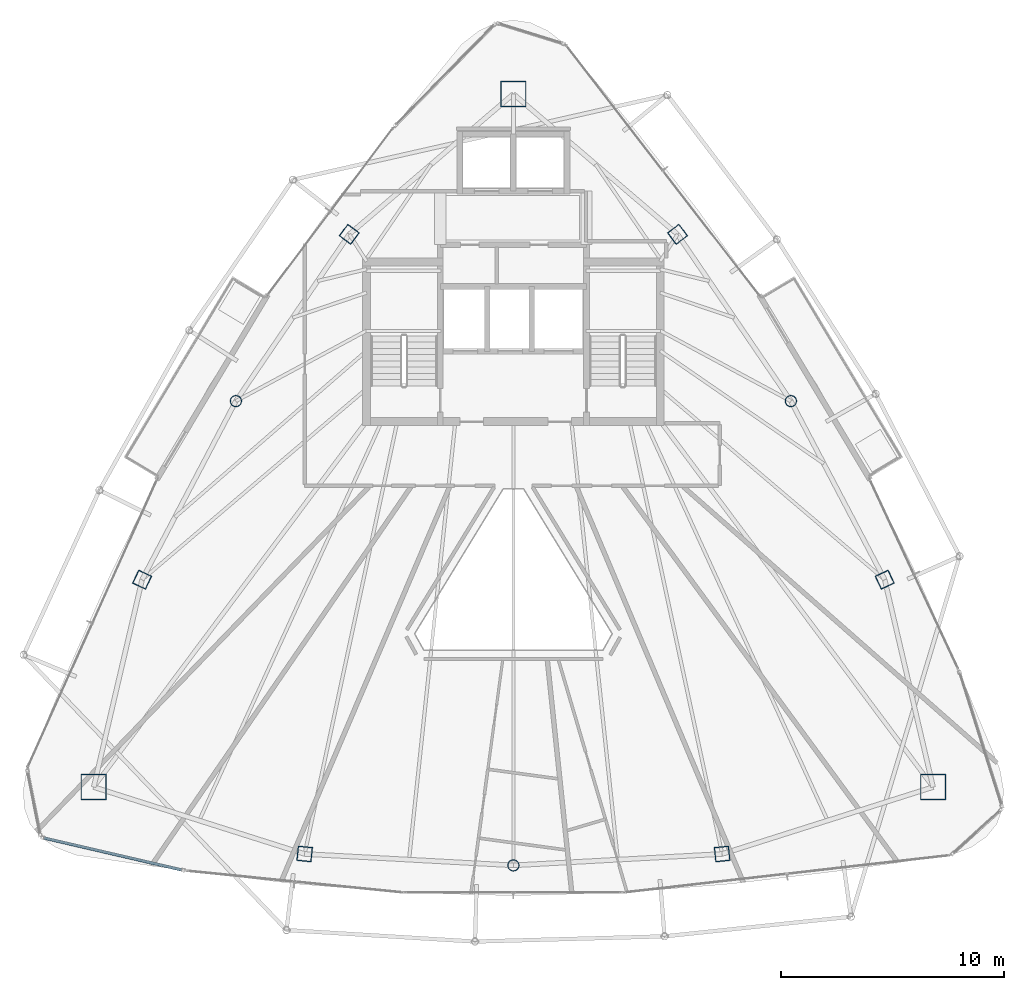
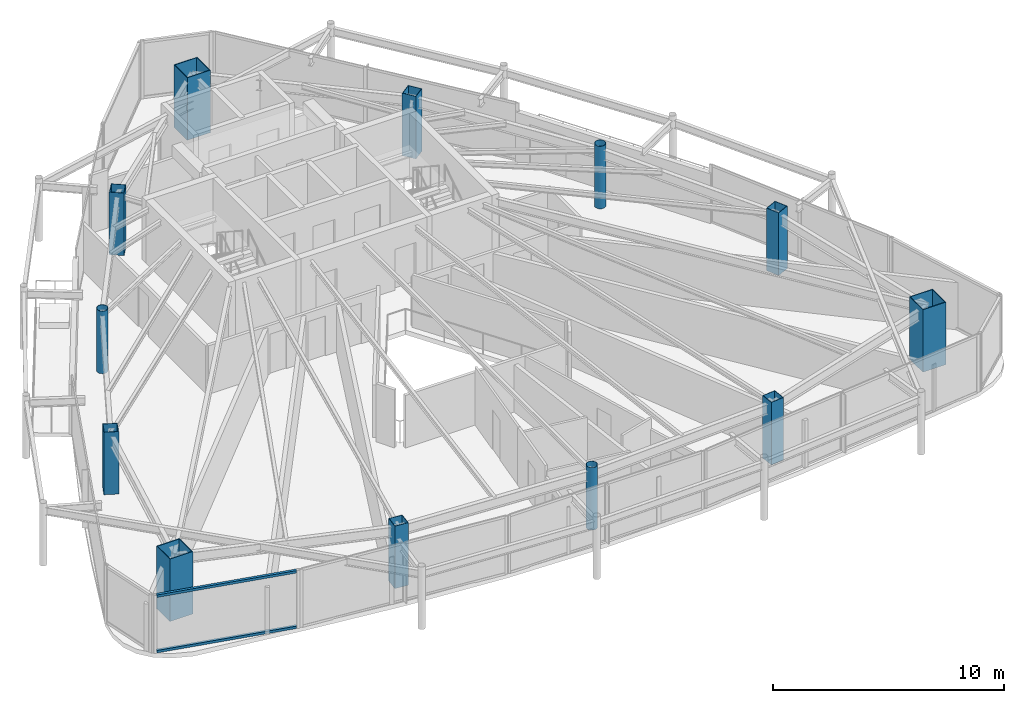
# One storey, part 1 of 28: 12 columns, 2 members, 1 element without a shape of its own.
"""IFC4 building model written with IfcOpenShell, lengths in metres."""

from ifc_helpers import new_model, si_unit, direction, frame, origin, origin_2d, place, context, subcontext, project, spatial, hollow_rectangle, hollow_circle, extrude, material, layer, layer_set, material_profile, profile_set, type_object, element, aggregate, save


model = new_model("IFC4")

# Units and contexts
model_context = context("Model", 3, precision=1e-05, world=origin(), true_north=direction((0.0, 1.0)))
body_context = subcontext(model_context, "Body", "Model", "MODEL_VIEW")
ifc_project = project(units=[si_unit("LENGTHUNIT", "METRE"), si_unit("AREAUNIT", "SQUARE_METRE"), si_unit("VOLUMEUNIT", "CUBIC_METRE"), si_unit("PLANEANGLEUNIT", "RADIAN"), si_unit("MASSUNIT", "GRAM", prefix="KILO")], contexts=[model_context])

# Site, building, storey
site_placement = place(None, origin())
site = spatial("IfcSite", under=ifc_project, at=site_placement, CompositionType="ELEMENT")
building_placement = place(site_placement, origin())
building = spatial("IfcBuilding", under=site, at=building_placement, Name="Orvanel Arch Residences", CompositionType="ELEMENT")
storey_placement = place(building_placement, frame((0.0, 0.0, 260.14990234375)))
storey = spatial("IfcBuildingStorey", under=building, at=storey_placement, Name="L74", CompositionType="ELEMENT", Elevation=260.14990234375)

# Columns
ifc_material_1 = material(Name="Structural steel AS/NZS 1163 C350L0 (Grade 350)", Category="steel")
ifc_material_profile_1 = material_profile(ifc_material_1, hollow_circle(Radius=0.25390625, WallThickness=0.01611328125, at=origin_2d()), Name="CHS508x16")
ifc_profile_set_1 = profile_set([ifc_material_profile_1], Name="Structural steel AS/NZS 1163 C350L0 (Grade 350)")
column_type_1 = type_object("IfcColumnType", Name="CC-508", PredefinedType="COLUMN", material=ifc_profile_set_1)
for number, where, z_axis, x_axis, name in (
    (1, (20.569091796875, 27.64111328125, 0.0), (0.0, 0.0, 1.0), (1.0, 0.0, 0.0), "L74 High-Rise Tube Column 02"),
    (2, (33.0, 6.843994140625, 0.0), (0.0, 0.0, 1.0), (1.0, 0.0, 0.0), "L74 High-Rise Tube Column 05"),
    (3, (45.430908203125, 27.64111328125, 0.0), (0.0, 0.0, 1.0), (1.0, 0.0, 0.0), "L74 High-Rise Tube Column 08"),
):
    element("IfcColumn", number, at=place(storey_placement, frame(where, z_axis=z_axis, x_axis=x_axis)), inside=storey, type_object=column_type_1, Name=name, PredefinedType="COLUMN", context=body_context, shape_type="SweptSolid", body=[
        extrude(hollow_circle(Radius=0.25390625, WallThickness=0.01611328125, at=origin_2d()), origin(), (0.0, 0.0, 1.0), 3.300048828125),
    ])
ifc_material_2 = material(Name="Structural steel AS/NZS 3678 Grade 450", Category="steel")
ifc_material_profile_2 = material_profile(ifc_material_2, hollow_rectangle(XDim=1.14990234375, YDim=1.14990234375, WallThickness=0.035888671875, at=origin_2d()), Name="BOX1150x1150x36")
ifc_profile_set_2 = profile_set([ifc_material_profile_2], Name="Structural steel AS/NZS 3678 Grade 450")
column_type_2 = type_object("IfcColumnType", Name="MC-1150", PredefinedType="COLUMN", material=ifc_profile_set_2)
for number, where, z_axis, x_axis, name in (
    (4, (33.0, 41.39794921875, 0.0), (0.0, 0.0, 1.0), (1.0, 0.0, 0.0), "L74 Corner Mega-Column 1"),
    (5, (14.198974609375, 10.35107421875, 0.0), (0.0, 0.0, 1.0), (1.0, 0.0, 0.0), "L74 Corner Mega-Column 2"),
    (6, (51.801025390625, 10.35107421875, 0.0), (0.0, 0.0, 1.0), (1.0, 0.0, 0.0), "L74 Corner Mega-Column 3"),
):
    element("IfcColumn", number, at=place(storey_placement, frame(where, z_axis=z_axis, x_axis=x_axis)), inside=storey, type_object=column_type_2, Name=name, PredefinedType="COLUMN", context=body_context, shape_type="SweptSolid", body=[
        extrude(hollow_rectangle(XDim=1.14990234375, YDim=1.14990234375, WallThickness=0.035888671875, at=origin_2d()), origin(), (0.0, 0.0, 1.0), 3.300048828125),
    ])
ifc_material_3 = material(Name="Structural steel AS/NZS 3678 Grade 350", Category="steel")
ifc_material_profile_3 = material_profile(ifc_material_3, hollow_rectangle(XDim=0.64990234375, YDim=0.64990234375, WallThickness=0.02197265625, at=origin_2d()), Name="BOX650x650x22")
ifc_profile_set_3 = profile_set([ifc_material_profile_3], Name="Structural steel AS/NZS 3678 Grade 350")
column_type_3 = type_object("IfcColumnType", Name="TC-650", PredefinedType="COLUMN", material=ifc_profile_set_3)
for number, where, z_axis, x_axis, name in (
    (7, (25.64794921875, 35.113037109375, 0.0), (0.0, 0.0, 1.0), (0.600420225326, 0.799684658487, 0.0), "L74 High-Rise Tube Column 01"),
    (8, (16.366943359375, 19.64208984375, 0.0), (0.0, 0.0, 1.0), (0.422618261741, 0.906307787037, 0.0), "L74 High-Rise Tube Column 03"),
    (9, (23.64892578125, 7.35498046875, 0.0), (0.0, 0.0, 1.0), (-0.994880708829, 0.101056297183, 0.0), "L74 High-Rise Tube Column 04"),
    (10, (42.35107421875, 7.35498046875, 0.0), (0.0, 0.0, 1.0), (0.994880708829, 0.101056297183, 0.0), "L74 High-Rise Tube Column 06"),
    (11, (49.633056640625, 19.64208984375, 0.0), (0.0, 0.0, 1.0), (-0.422618261741, 0.906307787037, 0.0), "L74 High-Rise Tube Column 07"),
    (12, (40.35205078125, 35.113037109375, 0.0), (0.0, 0.0, 1.0), (-0.600420225326, 0.799684658487, 0.0), "L74 High-Rise Tube Column 09"),
):
    element("IfcColumn", number, at=place(storey_placement, frame(where, z_axis=z_axis, x_axis=x_axis)), inside=storey, type_object=column_type_3, Name=name, PredefinedType="COLUMN", context=body_context, shape_type="SweptSolid", body=[
        extrude(hollow_rectangle(XDim=0.64990234375, YDim=0.64990234375, WallThickness=0.02197265625, at=origin_2d()), origin(), (0.0, 0.0, 1.0), 3.300048828125),
    ])

# Curtain wall, members
ifc_material_4 = material(Name="Bronze-anodised aluminium AA6063-T6", Category="aluminium")
ifc_layer = layer(ifc_material_4, 0.18994140625)
ifc_layer_set = layer_set([ifc_layer], Name="Bronze-anodised aluminium AA6063-T6")
curtain_wall_type = type_object("IfcCurtainWallType", Name="CW5-CRN-SYS", PredefinedType="NOTDEFINED", material=ifc_layer_set)
curtain_wall_placement = place(storey_placement, origin())
curtain_wall = element("IfcCurtainWall", 13, at=curtain_wall_placement, inside=storey, type_object=curtain_wall_type, Name="L74 CW5-CRN-SYS Unitised Curtain Wall", PredefinedType="NOTDEFINED")
ifc_material_profile_4 = material_profile(ifc_material_4, hollow_rectangle(XDim=0.1298828125, YDim=0.1298828125, WallThickness=0.00439453125, at=origin_2d()), Name="ALU130x130x4.5")
ifc_profile_set_4 = profile_set([ifc_material_profile_4], Name="Bronze-anodised aluminium AA6063-T6")
member_type = type_object("IfcMemberType", Name="TRN-130x130", PredefinedType="USERDEFINED", material=ifc_profile_set_4)
member_1_placement = place(storey_placement, frame((11.983154296875, 8.070068359375, 0.065185546875), z_axis=(0.974143576085, -0.22592984126, 0.0), x_axis=(0.22592984126, 0.974143576085, 0.0)))
member_1 = element("IfcMember", 14, at=member_1_placement, type_object=member_type, Name="CW-S5 transom 1.1", ObjectType="TRANSOM", PredefinedType="USERDEFINED", context=body_context, shape_type="SweptSolid", body=[
    extrude(hollow_rectangle(XDim=0.1298828125, YDim=0.1298828125, WallThickness=0.00439453125, at=origin_2d()), origin(), (0.0, 0.0, 1.0), 6.31298828125),
])
member_2_placement = place(storey_placement, frame((11.983154296875, 8.070068359375, 2.9951171875), z_axis=(0.974143576085, -0.22592984126, 0.0), x_axis=(0.22592984126, 0.974143576085, 0.0)))
member_2 = element("IfcMember", 15, at=member_2_placement, type_object=member_type, Name="CW-S5 transom 1.2", ObjectType="TRANSOM", PredefinedType="USERDEFINED", context=body_context, shape_type="SweptSolid", body=[
    extrude(hollow_rectangle(XDim=0.1298828125, YDim=0.1298828125, WallThickness=0.00439453125, at=origin_2d()), origin(), (0.0, 0.0, 1.0), 6.31298828125),
])
aggregate(curtain_wall, [member_1, member_2])

save(model, "model.ifc")
